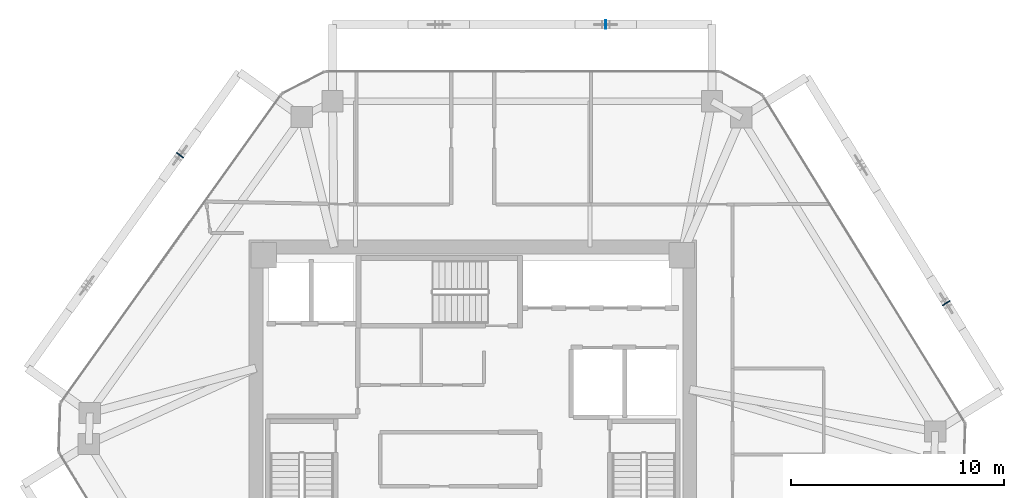
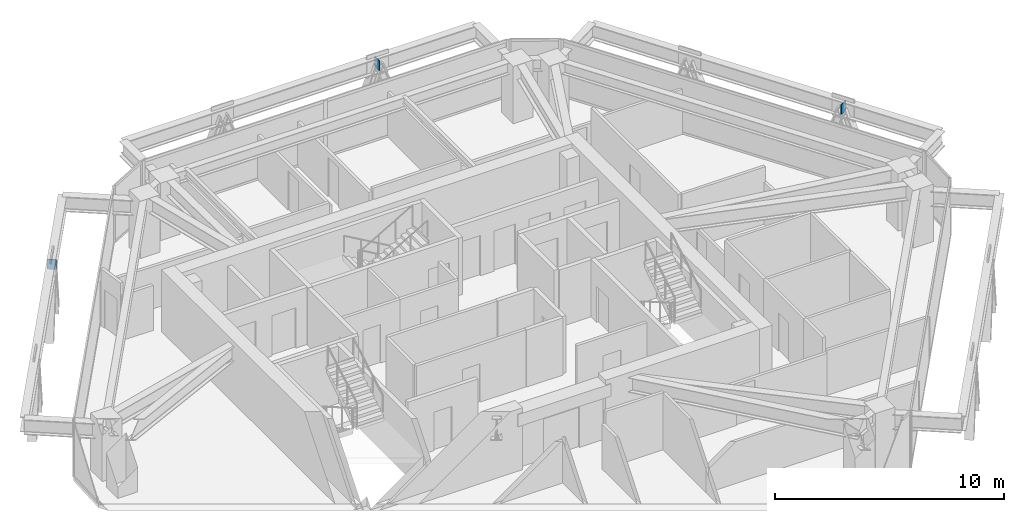
# One storey, part 9 of 14: 3 plates.
"""IFC4 building model written with IfcOpenShell, lengths in metres."""

from ifc_helpers import new_model, si_unit, direction, frame, origin, origin_2d, place, context, subcontext, project, spatial, rectangle, extrude, source, transform, mapped, material, layer, layer_set, type_object, type_shapes, element, save


model = new_model("IFC4")

# Units and contexts
model_context = context("Model", 3, precision=1e-05, world=origin(), true_north=direction((0.0, 1.0)))
body_context = subcontext(model_context, "Body", "Model", "MODEL_VIEW")
ifc_project = project(units=[si_unit("LENGTHUNIT", "METRE"), si_unit("AREAUNIT", "SQUARE_METRE"), si_unit("VOLUMEUNIT", "CUBIC_METRE"), si_unit("PLANEANGLEUNIT", "RADIAN"), si_unit("MASSUNIT", "GRAM", prefix="KILO")], contexts=[model_context])

# Site, building, storey
site_placement = place(None, origin())
site = spatial("IfcSite", under=ifc_project, at=site_placement, CompositionType="ELEMENT")
building_placement = place(site_placement, origin())
building = spatial("IfcBuilding", under=site, at=building_placement, Name="Durnholm Broadcast Tower", CompositionType="ELEMENT")
storey_placement = place(building_placement, frame((0.0, 0.0, 187.0)))
storey = spatial("IfcBuildingStorey", under=building, at=storey_placement, Name="L51", CompositionType="ELEMENT", Elevation=187.0)

# Plates
ifc_material = material(Name="Steel ASTM A572 Grade 50", Category="steel")
ifc_layer = layer(ifc_material, 0.044921875)
ifc_layer_set = layer_set([ifc_layer], Name="Steel ASTM A572 Grade 50")
plate_type = type_object("IfcPlateType", Name="PLT-KN-STIF", PredefinedType="SHEET", material=ifc_layer_set)
shared_shape = source(origin(), body_context, "Body", "SweptSolid", [
    extrude(rectangle(XDim=0.044921875, YDim=0.419921875, at=origin_2d()), origin(), (0.0, 0.0, 1.0), 0.52001953125),
])
type_shapes(plate_type, [shared_shape])
for number, where, z_axis, x_axis, name in (
    (1, (22.202392578125, 5.546875, 2.048583984375), (0.0, 0.0, 1.0), (-0.525768608156, 0.850627633385, 0.0), "L51 welded diagrid node stiffener plate F3"),
    (2, (6.234619140625, 18.617919921875, 2.048583984375), (0.0, 0.0, 1.0), (-1.0, 0.0, 0.0), "L51 welded diagrid node stiffener plate F4"),
    (3, (-13.731689453125, 12.485595703125, 2.048583984375), (0.0, 0.0, 1.0), (-0.582122970157, -0.813100761047, 0.0), "L51 welded diagrid node stiffener plate F5"),
):
    element("IfcPlate", number, at=place(storey_placement, frame(where, z_axis=z_axis, x_axis=x_axis)), inside=storey, type_object=plate_type, Name=name, PredefinedType="SHEET", context=body_context, shape_type="MappedRepresentation", body=[
        mapped(shared_shape, transform((0.0, 0.0, 0.0), x_axis=(1.0, 0.0, 0.0), y_axis=(0.0, 1.0, 0.0), z_axis=(0.0, 0.0, 1.0), scale=1.0)),
    ])

save(model, "model.ifc")
